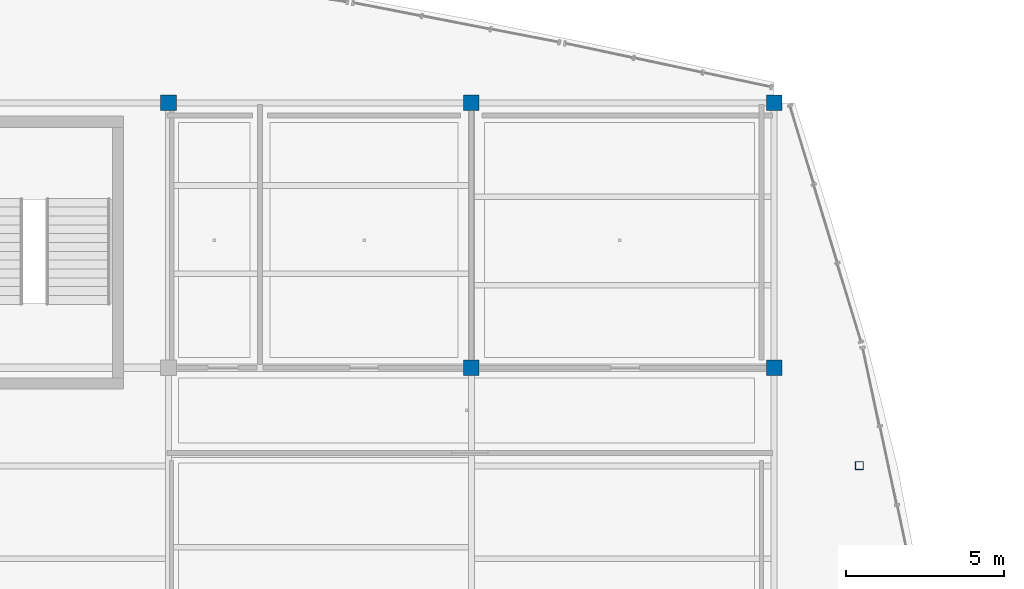
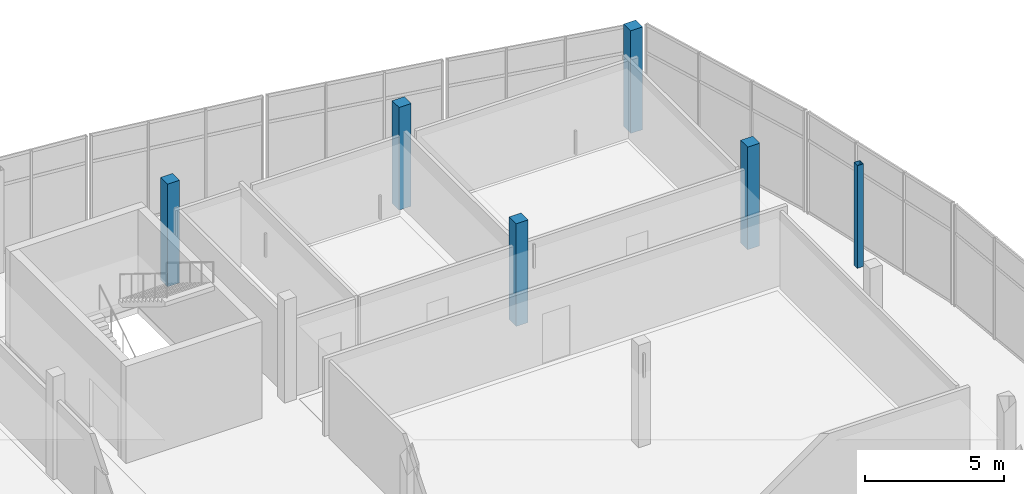
# One storey, part 12 of 114: 6 columns.
"""IFC4 building model written with IfcOpenShell, lengths in metres."""

from ifc_helpers import new_model, si_unit, direction, frame, origin, origin_2d, place, context, subcontext, project, spatial, rectangle, hollow_rectangle, extrude, material, material_profile, profile_set, type_object, element, save


model = new_model("IFC4")

# Units and contexts
model_context = context("Model", 3, precision=1e-05, world=origin(), true_north=direction((0.0, 1.0)))
body_context = subcontext(model_context, "Body", "Model", "MODEL_VIEW")
ifc_project = project(units=[si_unit("LENGTHUNIT", "METRE"), si_unit("AREAUNIT", "SQUARE_METRE"), si_unit("VOLUMEUNIT", "CUBIC_METRE"), si_unit("PLANEANGLEUNIT", "RADIAN"), si_unit("MASSUNIT", "GRAM", prefix="KILO")], contexts=[model_context])

# Site, building, storey
site_placement = place(None, origin())
site = spatial("IfcSite", under=ifc_project, at=site_placement, CompositionType="ELEMENT")
building_placement = place(site_placement, origin())
building = spatial("IfcBuilding", under=site, at=building_placement, Name="Chalmorin Arch Market", CompositionType="ELEMENT")
storey_placement = place(building_placement, frame((0.0, 0.0, 9.60009765625)))
storey = spatial("IfcBuildingStorey", under=building, at=storey_placement, Name="L02", CompositionType="ELEMENT", Elevation=9.60009765625)

# Columns
ifc_material_1 = material(Name="Steel A500 Grade C", Category="steel")
ifc_material_profile_1 = material_profile(ifc_material_1, hollow_rectangle(XDim=0.25390625, YDim=0.25390625, WallThickness=0.01171875, at=origin_2d()), Name="HSS10X10X1/2")
ifc_profile_set_1 = profile_set([ifc_material_profile_1], Name="Steel A500 Grade C")
column_type_1 = type_object("IfcColumnType", Name="SteelTubeColumn-HSS10X10", PredefinedType="COLUMN", material=ifc_profile_set_1)
column_placement = place(storey_placement, frame((117.903076171875, 106.5, 0.0), z_axis=(0.0, 0.0, 1.0), x_axis=(1.0, 0.0, 0.0)))
element("IfcColumn", 1, at=column_placement, inside=storey, type_object=column_type_1, Name="C-HS2-746", PredefinedType="COLUMN", context=body_context, shape_type="SweptSolid", body=[
    extrude(hollow_rectangle(XDim=0.25390625, YDim=0.25390625, WallThickness=0.01171875, at=origin_2d()), origin(), (0.0, 0.0, 1.0), 4.5),
])
ifc_material_2 = material(Name="Concrete C40/50", Category="concrete")
ifc_material_profile_2 = material_profile(ifc_material_2, rectangle(XDim=0.5, YDim=0.5, at=origin_2d()), Name="RC500X500")
ifc_profile_set_2 = profile_set([ifc_material_profile_2], Name="Concrete C40/50")
column_type_2 = type_object("IfcColumnType", Name="UpperConcreteColumn-500x500", PredefinedType="COLUMN", material=ifc_profile_set_2)
for number, where, z_axis, x_axis, name in (
    (2, (96.0, 118.0, 0.0), (0.0, 0.0, 1.0), (1.0, 0.0, 0.0), "C-RC3-528"),
    (3, (105.60009765625, 109.60009765625, 0.0), (0.0, 0.0, 1.0), (1.0, 0.0, 0.0), "C-RC3-578"),
    (4, (105.60009765625, 118.0, 0.0), (0.0, 0.0, 1.0), (1.0, 0.0, 0.0), "C-RC3-583"),
    (5, (115.199951171875, 109.60009765625, 0.0), (0.0, 0.0, 1.0), (1.0, 0.0, 0.0), "C-RC3-633"),
    (6, (115.199951171875, 118.0, 0.0), (0.0, 0.0, 1.0), (1.0, 0.0, 0.0), "C-RC3-638"),
):
    element("IfcColumn", number, at=place(storey_placement, frame(where, z_axis=z_axis, x_axis=x_axis)), inside=storey, type_object=column_type_2, Name=name, PredefinedType="COLUMN", context=body_context, shape_type="SweptSolid", body=[
        extrude(rectangle(XDim=0.5, YDim=0.5, at=origin_2d()), origin(), (0.0, 0.0, 1.0), 4.5),
    ])

save(model, "model.ifc")
